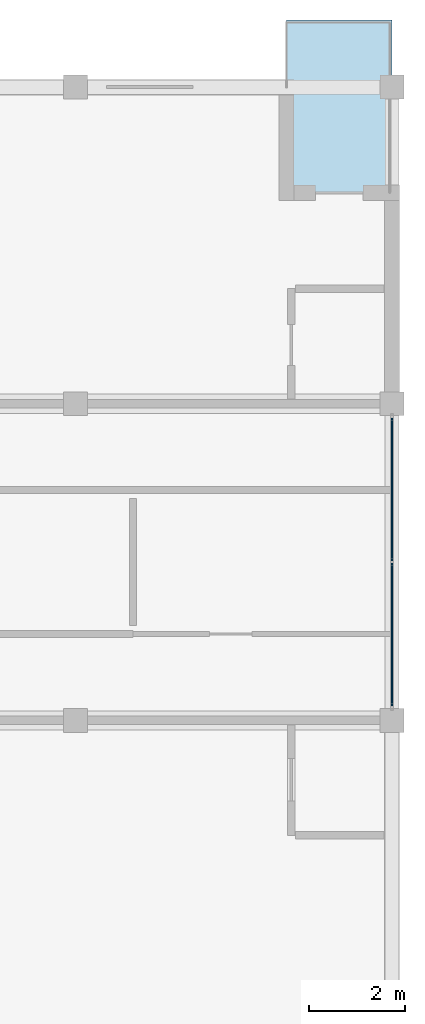
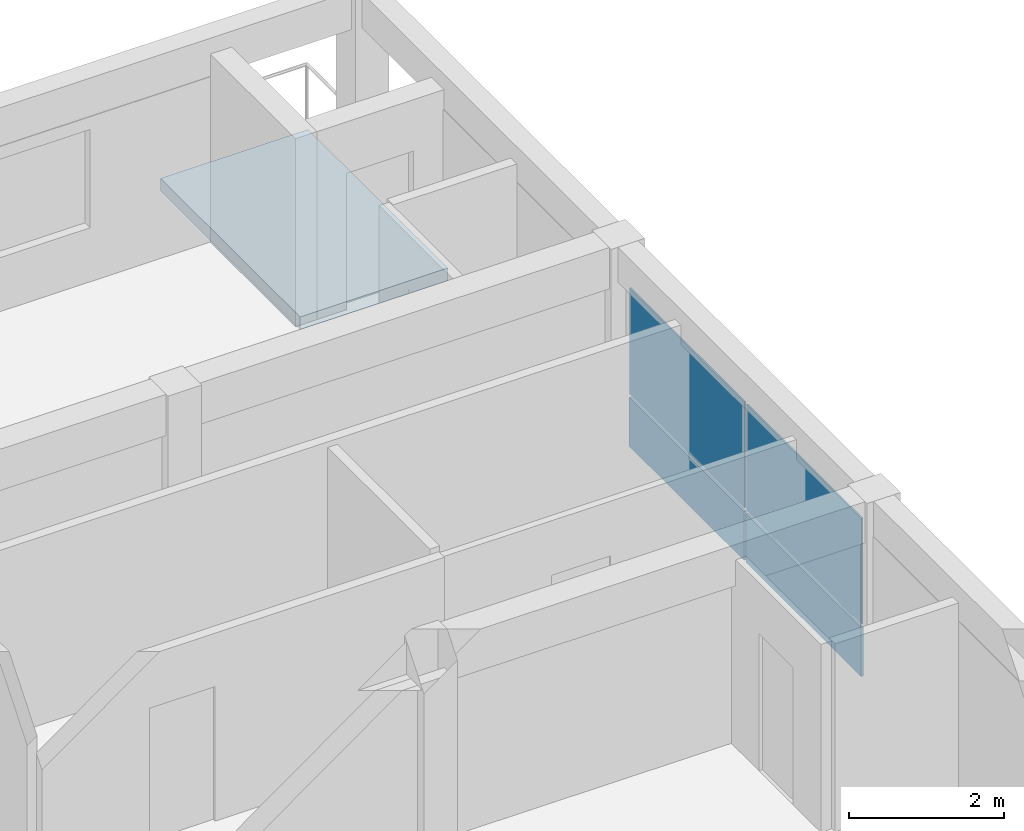
# One storey, part 23 of 45: 4 plates, 1 slab, 1 element without a shape of its own.
"""IFC4 building model written with IfcOpenShell, lengths in metres."""

from ifc_helpers import new_model, si_unit, direction, frame, origin, origin_2d, place, context, subcontext, project, spatial, polyline, rectangle, outline, extrude, material, layer, layer_set, type_object, element, aggregate, save


model = new_model("IFC4")

# Units and contexts
model_context = context("Model", 3, precision=1e-05, world=origin(), true_north=direction((0.0, 1.0)))
body_context = subcontext(model_context, "Body", "Model", "MODEL_VIEW")
ifc_project = project(units=[si_unit("LENGTHUNIT", "METRE"), si_unit("AREAUNIT", "SQUARE_METRE"), si_unit("VOLUMEUNIT", "CUBIC_METRE"), si_unit("PLANEANGLEUNIT", "RADIAN"), si_unit("MASSUNIT", "GRAM", prefix="KILO")], contexts=[model_context])

# Site, building, storey
site_placement = place(None, origin())
site = spatial("IfcSite", under=ifc_project, at=site_placement, CompositionType="ELEMENT")
building_placement = place(site_placement, origin())
building = spatial("IfcBuilding", under=site, at=building_placement, Name="Kernevlak Ridge Housing Community", CompositionType="ELEMENT")
storey_placement = place(building_placement, frame((0.0, 0.0, 21.199951171875)))
storey = spatial("IfcBuildingStorey", under=building, at=storey_placement, Name="L06", CompositionType="ELEMENT", Elevation=21.199951171875)

# Curtain wall, plates
ifc_material_1 = material(Name="Aluminium EN AW-6060 anodised and laminated glass", Category="aluminium")
curtain_wall_type = type_object("IfcCurtainWallType", Name="CW-14", PredefinedType="NOTDEFINED", material=ifc_material_1)
curtain_wall_placement = place(storey_placement, origin())
curtain_wall = element("IfcCurtainWall", 1, at=curtain_wall_placement, inside=storey, type_object=curtain_wall_type, Name="Curtain wall CW-14 CW-L06-075", PredefinedType="NOTDEFINED")
ifc_material_2 = material(Name="Solar-control double glazing glass", Category="glass")
ifc_layer_1 = layer(ifc_material_2, 0.02392578125, Name="Solar-control double glazing glass")
ifc_layer_set_1 = layer_set([ifc_layer_1], Name="Solar-control double glazing glass")
plate_type_1 = type_object("IfcPlateType", Name="CP-01", PredefinedType="CURTAIN_PANEL", material=ifc_layer_set_1)
plate_1_placement = place(storey_placement, frame((152.39990234375, 90.98876953125, 0.87744140625), z_axis=(0.0, 0.0, 1.0), x_axis=(0.0, 1.0, 0.0)))
plate_1 = element("IfcPlate", 2, at=plate_1_placement, type_object=plate_type_1, Name="CW-14 panel 1.2", PredefinedType="CURTAIN_PANEL", context=body_context, shape_type="SweptSolid", body=[
    extrude(rectangle(XDim=2.967529296875, YDim=0.02392578125, at=origin_2d()), origin(), (0.0, 0.0, 1.0), 1.66748046875),
])
plate_2_placement = place(storey_placement, frame((152.39990234375, 94.01123046875, 0.87744140625), z_axis=(0.0, 0.0, 1.0), x_axis=(0.0, 1.0, 0.0)))
plate_2 = element("IfcPlate", 3, at=plate_2_placement, type_object=plate_type_1, Name="CW-14 panel 2.2", PredefinedType="CURTAIN_PANEL", context=body_context, shape_type="SweptSolid", body=[
    extrude(rectangle(XDim=2.967529296875, YDim=0.02392578125, at=origin_2d()), origin(), (0.0, 0.0, 1.0), 1.66748046875),
])
ifc_material_3 = material(Name="Aluminium EN AW-5005 enamelled panel", Category="aluminium")
ifc_layer_2 = layer(ifc_material_3, 0.033935546875, Name="Aluminium EN AW-5005 enamelled panel")
ifc_layer_set_2 = layer_set([ifc_layer_2], Name="Aluminium EN AW-5005 enamelled panel")
plate_type_2 = type_object("IfcPlateType", Name="CP-03", PredefinedType="CURTAIN_PANEL", material=ifc_layer_set_2)
plate_3_placement = place(storey_placement, frame((152.39990234375, 90.98876953125, 0.054931640625), z_axis=(0.0, 0.0, 1.0), x_axis=(0.0, 1.0, 0.0)))
plate_3 = element("IfcPlate", 4, at=plate_3_placement, type_object=plate_type_2, Name="CW-14 panel 1.1", PredefinedType="CURTAIN_PANEL", context=body_context, shape_type="SweptSolid", body=[
    extrude(rectangle(XDim=2.967529296875, YDim=0.033935546875, at=origin_2d()), origin(), (0.0, 0.0, 1.0), 0.767578125),
])
plate_4_placement = place(storey_placement, frame((152.39990234375, 94.01123046875, 0.054931640625), z_axis=(0.0, 0.0, 1.0), x_axis=(0.0, 1.0, 0.0)))
plate_4 = element("IfcPlate", 5, at=plate_4_placement, type_object=plate_type_2, Name="CW-14 panel 2.1", PredefinedType="CURTAIN_PANEL", context=body_context, shape_type="SweptSolid", body=[
    extrude(rectangle(XDim=2.967529296875, YDim=0.033935546875, at=origin_2d()), origin(), (0.0, 0.0, 1.0), 0.767578125),
])
aggregate(curtain_wall, [plate_3, plate_1, plate_4, plate_2])

# Slab
ifc_material_4 = material(Name="Concrete C35/45", Category="concrete")
ifc_layer_3 = layer(ifc_material_4, 0.199951171875, Name="Concrete C35/45")
ifc_layer_set_3 = layer_set([ifc_layer_3], Name="Concrete C35/45")
slab_type = type_object("IfcSlabType", Name="SL-05", PredefinedType="FLOOR", material=ifc_layer_set_3)
slab_placement = place(storey_placement, frame((0.0, 0.0, -0.199951171875)))
element("IfcSlab", 6, at=slab_placement, inside=storey, type_object=slab_type, Name="Block B L06 corner balcony deck slab", PredefinedType="FLOOR", context=body_context, shape_type="SweptSolid", body=[
    extrude(outline(polyline([(150.199951171875, 100.199951171875), (152.39990234375, 100.199951171875), (152.39990234375, 103.800048828125), (150.199951171875, 103.800048828125), (150.199951171875, 100.199951171875)])), origin(), (0.0, 0.0, 1.0), 0.199951171875),
])

save(model, "model.ifc")
